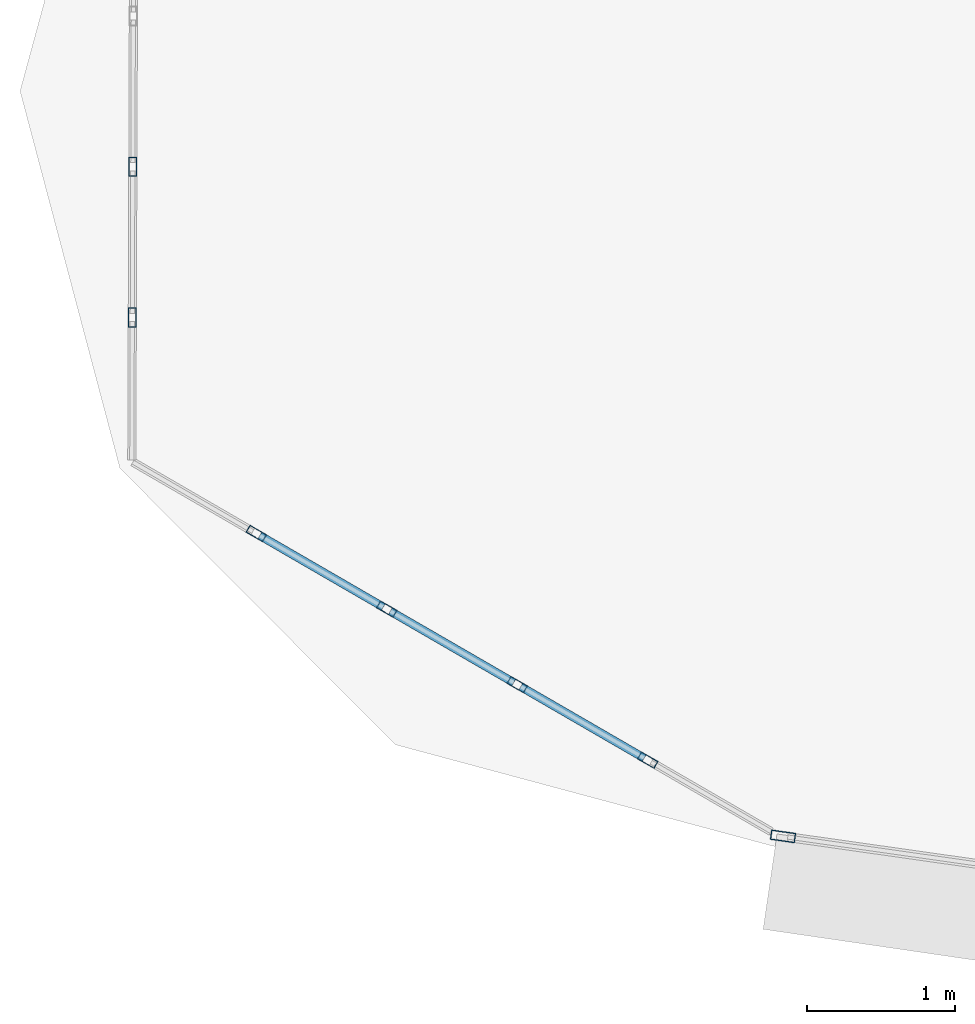
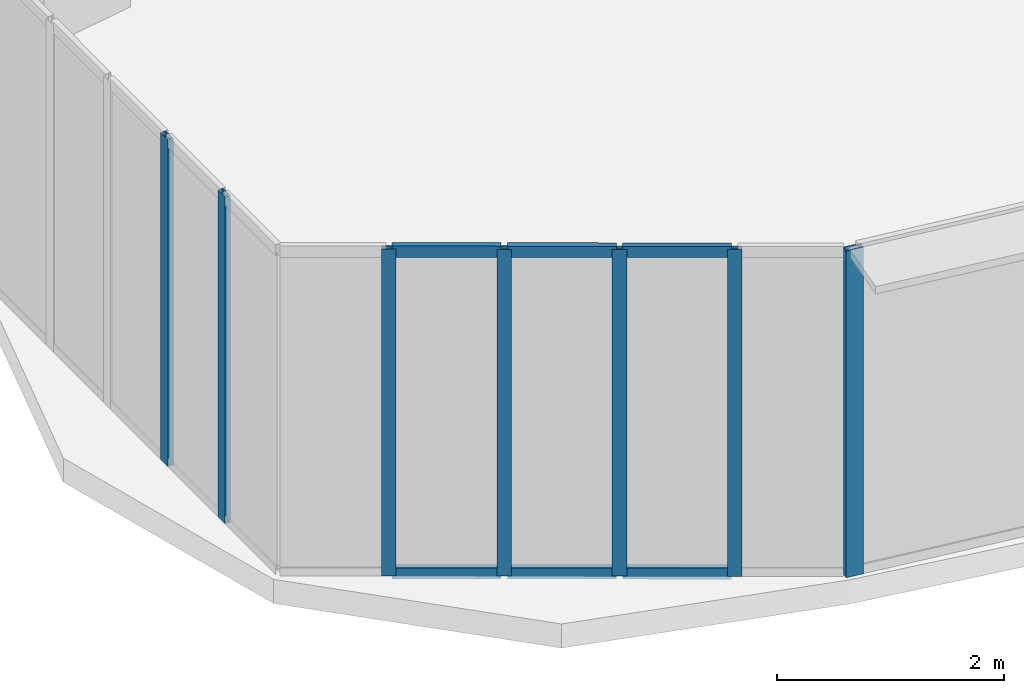
# One storey, part 2 of 41: 13 members, 3 elements without a shape of their own.
"""IFC4 building model written with IfcOpenShell, lengths in metres."""

from ifc_helpers import new_model, si_unit, direction, frame, origin, origin_2d, place, context, subcontext, project, spatial, hollow_rectangle, extrude, source, transform, mapped, material, layer, layer_set, material_profile, profile_set, type_object, element, aggregate, save


model = new_model("IFC4")

# Units and contexts
model_context = context("Model", 3, precision=1e-05, world=origin(), true_north=direction((0.0, 1.0)))
body_context = subcontext(model_context, "Body", "Model", "MODEL_VIEW")
ifc_project = project(units=[si_unit("LENGTHUNIT", "METRE"), si_unit("AREAUNIT", "SQUARE_METRE"), si_unit("VOLUMEUNIT", "CUBIC_METRE"), si_unit("PLANEANGLEUNIT", "RADIAN"), si_unit("MASSUNIT", "GRAM", prefix="KILO"), si_unit("THERMODYNAMICTEMPERATUREUNIT", "KELVIN"), si_unit("POWERUNIT", "WATT")], contexts=[model_context])

# Site, building, storey
site_placement = place(None, origin())
site = spatial("IfcSite", under=ifc_project, at=site_placement, CompositionType="ELEMENT")
building_placement = place(site_placement, origin())
building = spatial("IfcBuilding", under=site, at=building_placement, Name="Yunzhuo Pagoda Commons", CompositionType="ELEMENT")
storey_placement = place(building_placement, frame((0.0, 0.0, 115.3798828125)))
storey = spatial("IfcBuildingStorey", under=building, at=storey_placement, Name="L29", CompositionType="ELEMENT", Elevation=115.3798828125)

# Curtain wall, members
ifc_material = material(Name="Anodized aluminium 6063-T6", Category="aluminium")
ifc_layer_1 = layer(ifc_material, 0.1298828125)
ifc_layer_set_1 = layer_set([ifc_layer_1], Name="Anodized aluminium 6063-T6")
curtain_wall_type_1 = type_object("IfcCurtainWallType", Name="CW-VTX Rounded Corner Curtain Wall", PredefinedType="NOTDEFINED", material=ifc_layer_set_1)
curtain_wall_1_placement = place(storey_placement, origin())
curtain_wall_1 = element("IfcCurtainWall", 1, at=curtain_wall_1_placement, inside=storey, type_object=curtain_wall_type_1, Name="L29 curtain wall CW-L29-VTX1S2", PredefinedType="NOTDEFINED")
ifc_material_profile_1 = material_profile(ifc_material, hollow_rectangle(XDim=0.054931640625, YDim=0.1201171875, WallThickness=0.00341796875, at=origin_2d()), Name="Anodized aluminium 6063-T6")
ifc_profile_set_1 = profile_set([ifc_material_profile_1], Name="Anodized aluminium 6063-T6")
member_type_1 = type_object("IfcMemberType", Name="CW-VTX-T Transom RHS 120x55x3.5", PredefinedType="USERDEFINED", material=ifc_profile_set_1)
shared_shape_1 = source(origin(), body_context, "Body", "SweptSolid", [
    extrude(hollow_rectangle(XDim=0.054931640625, YDim=0.1201171875, WallThickness=0.00341796875, at=origin_2d()), origin(), (0.0, 0.0, 1.0), 0.962158203125),
])
member_1_placement = place(storey_placement, frame((7.85791015625, 17.81884765625, 0.027587890625), z_axis=(0.865339402636, -0.501186310911, 0.0), x_axis=(0.501186310911, 0.865339402636, 0.0)))
member_1 = element("IfcMember", 2, at=member_1_placement, type_object=member_type_1, Name="CW transom 2.1", ObjectType="TRANSOM", PredefinedType="USERDEFINED", context=body_context, shape_type="MappedRepresentation", body=[
    mapped(shared_shape_1, transform((0.0, 0.0, 0.0), scale=1.0)),
])
member_2_placement = place(storey_placement, frame((7.85791015625, 17.81884765625, 3.49267578125), z_axis=(0.865339402636, -0.501186310911, 0.0), x_axis=(0.501186310911, 0.865339402636, 0.0)))
member_2 = element("IfcMember", 3, at=member_2_placement, type_object=member_type_1, Name="CW transom 2.2", ObjectType="TRANSOM", PredefinedType="USERDEFINED", context=body_context, shape_type="MappedRepresentation", body=[
    mapped(shared_shape_1, transform((0.0, 0.0, 0.0), scale=1.0)),
])
member_3_placement = place(storey_placement, frame((8.73779296875, 17.30908203125, 0.027587890625), z_axis=(0.865513134281, -0.500886228986, 0.0), x_axis=(0.500886228986, 0.865513134281, 0.0)))
member_3 = element("IfcMember", 4, at=member_3_placement, type_object=member_type_1, Name="CW transom 3.1", ObjectType="TRANSOM", PredefinedType="USERDEFINED", context=body_context, shape_type="MappedRepresentation", body=[
    mapped(shared_shape_1, transform((0.0, 0.0, 0.0), scale=1.0)),
])
member_4_placement = place(storey_placement, frame((8.73779296875, 17.30908203125, 3.49267578125), z_axis=(0.865513134281, -0.500886228986, 0.0), x_axis=(0.500886228986, 0.865513134281, 0.0)))
member_4 = element("IfcMember", 5, at=member_4_placement, type_object=member_type_1, Name="CW transom 3.2", ObjectType="TRANSOM", PredefinedType="USERDEFINED", context=body_context, shape_type="MappedRepresentation", body=[
    mapped(shared_shape_1, transform((0.0, 0.0, 0.0), scale=1.0)),
])
shared_shape_2 = source(origin(), body_context, "Body", "SweptSolid", [
    extrude(hollow_rectangle(XDim=0.054931640625, YDim=0.1201171875, WallThickness=0.00341796875, at=origin_2d()), origin(), (0.0, 0.0, 1.0), 0.961669921875),
])
member_5_placement = place(storey_placement, frame((9.617919921875, 16.7998046875, 0.027587890625), z_axis=(0.865385729326, -0.501106315544, 0.0), x_axis=(0.501106315544, 0.865385729326, 0.0)))
member_5 = element("IfcMember", 6, at=member_5_placement, type_object=member_type_1, Name="CW transom 4.1", ObjectType="TRANSOM", PredefinedType="USERDEFINED", context=body_context, shape_type="MappedRepresentation", body=[
    mapped(shared_shape_2, transform((0.0, 0.0, 0.0), scale=1.0)),
])
member_6_placement = place(storey_placement, frame((9.617919921875, 16.7998046875, 3.49267578125), z_axis=(0.865385729326, -0.501106315544, 0.0), x_axis=(0.501106315544, 0.865385729326, 0.0)))
member_6 = element("IfcMember", 7, at=member_6_placement, type_object=member_type_1, Name="CW transom 4.2", ObjectType="TRANSOM", PredefinedType="USERDEFINED", context=body_context, shape_type="MappedRepresentation", body=[
    mapped(shared_shape_2, transform((0.0, 0.0, 0.0), scale=1.0)),
])

# Curtain wall, member
ifc_layer_2 = layer(ifc_material, 0.1650390625)
ifc_layer_set_2 = layer_set([ifc_layer_2], Name="Anodized aluminium 6063-T6")
curtain_wall_type_2 = type_object("IfcCurtainWallType", Name="CW-LOW Low-Zone Ribbon Curtain Wall", PredefinedType="NOTDEFINED", material=ifc_layer_set_2)
curtain_wall_2_placement = place(storey_placement, origin())
curtain_wall_2 = element("IfcCurtainWall", 8, at=curtain_wall_2_placement, inside=storey, type_object=curtain_wall_type_2, Name="L29 curtain wall CW-L29-F1B1", PredefinedType="NOTDEFINED")
ifc_material_profile_2 = material_profile(ifc_material, hollow_rectangle(XDim=0.06494140625, YDim=0.1650390625, WallThickness=0.00390625, at=origin_2d()), Name="Anodized aluminium 6063-T6")
ifc_profile_set_2 = profile_set([ifc_material_profile_2], Name="Anodized aluminium 6063-T6")
member_type_2 = type_object("IfcMemberType", Name="CW-LOW-M Mullion RHS 165x65x4", PredefinedType="MULLION", material=ifc_profile_set_2)
shared_shape_3 = source(origin(), body_context, "Body", "SweptSolid", [
    extrude(hollow_rectangle(XDim=0.06494140625, YDim=0.1650390625, WallThickness=0.00390625, at=origin_2d()), origin(), (0.0, 0.0, 1.0), 3.52001953125),
])
member_7_placement = place(storey_placement, frame((11.386474609375, 15.7900390625, 0.0), z_axis=(0.0, 0.0, 1.0), x_axis=(0.140408035721, 0.990093724606, 0.0)))
member_7 = element("IfcMember", 9, at=member_7_placement, type_object=member_type_2, Name="CW mullion 1", PredefinedType="MULLION", context=body_context, shape_type="MappedRepresentation", body=[
    mapped(shared_shape_3, transform((0.0, 0.0, 0.0), scale=1.0)),
])
aggregate(curtain_wall_2, [member_7])

# Curtain wall, members
curtain_wall_3_placement = place(storey_placement, origin())
curtain_wall_3 = element("IfcCurtainWall", 10, at=curtain_wall_3_placement, inside=storey, type_object=curtain_wall_type_1, Name="L29 curtain wall CW-L29-VTX1S1", PredefinedType="NOTDEFINED")
ifc_material_profile_3 = material_profile(ifc_material, hollow_rectangle(XDim=0.054931640625, YDim=0.1298828125, WallThickness=0.00341796875, at=origin_2d()), Name="Anodized aluminium 6063-T6")
ifc_profile_set_3 = profile_set([ifc_material_profile_3], Name="Anodized aluminium 6063-T6")
member_type_3 = type_object("IfcMemberType", Name="CW-VTX-M Mullion RHS 130x55x3.5", PredefinedType="MULLION", material=ifc_profile_set_3)
shared_shape_4 = source(origin(), body_context, "Body", "SweptSolid", [
    extrude(hollow_rectangle(XDim=0.054931640625, YDim=0.1298828125, WallThickness=0.00341796875, at=origin_2d()), origin(), (0.0, 0.0, 1.0), 3.52001953125),
])
member_8_placement = place(storey_placement, frame((7.001220703125, 20.30615234375, 0.0), z_axis=(0.0, 0.0, 1.0), x_axis=(0.999993522017, -0.003599433805, 0.0)))
member_8 = element("IfcMember", 11, at=member_8_placement, type_object=member_type_3, Name="CW mullion 4", PredefinedType="MULLION", context=body_context, shape_type="MappedRepresentation", body=[
    mapped(shared_shape_4, transform((0.0, 0.0, 0.0), scale=1.0)),
])
member_9_placement = place(storey_placement, frame((6.99755859375, 19.289306640625, 0.0), z_axis=(0.0, 0.0, 1.0), x_axis=(0.999993522017, -0.003599433805, 0.0)))
member_9 = element("IfcMember", 12, at=member_9_placement, type_object=member_type_3, Name="CW mullion 5", PredefinedType="MULLION", context=body_context, shape_type="MappedRepresentation", body=[
    mapped(shared_shape_4, transform((0.0, 0.0, 0.0), scale=1.0)),
])
aggregate(curtain_wall_3, [member_8, member_9])

# Member
member_10_placement = place(storey_placement, frame((7.833984375, 17.832763671875, 0.0), z_axis=(0.0, 0.0, 1.0), x_axis=(0.501032393989, 0.865428529789, 0.0)))
member_10 = element("IfcMember", 13, at=member_10_placement, type_object=member_type_3, Name="CW mullion 2", PredefinedType="MULLION", context=body_context, shape_type="MappedRepresentation", body=[
    mapped(shared_shape_4, transform((0.0, 0.0, 0.0), scale=1.0)),
])

member_11_placement = place(storey_placement, frame((8.714111328125, 17.322998046875, 0.0), z_axis=(0.0, 0.0, 1.0), x_axis=(0.501032393989, 0.865428529789, 0.0)))
member_11 = element("IfcMember", 14, at=member_11_placement, type_object=member_type_3, Name="CW mullion 3", PredefinedType="MULLION", context=body_context, shape_type="MappedRepresentation", body=[
    mapped(shared_shape_4, transform((0.0, 0.0, 0.0), scale=1.0)),
])

member_12_placement = place(storey_placement, frame((9.593994140625, 16.8134765625, 0.0), z_axis=(0.0, 0.0, 1.0), x_axis=(0.501032393989, 0.865428529789, 0.0)))
member_12 = element("IfcMember", 15, at=member_12_placement, type_object=member_type_3, Name="CW mullion 4", PredefinedType="MULLION", context=body_context, shape_type="MappedRepresentation", body=[
    mapped(shared_shape_4, transform((0.0, 0.0, 0.0), scale=1.0)),
])

member_13_placement = place(storey_placement, frame((10.47412109375, 16.303955078125, 0.0), z_axis=(0.0, 0.0, 1.0), x_axis=(0.501032393989, 0.865428529789, 0.0)))
member_13 = element("IfcMember", 16, at=member_13_placement, type_object=member_type_3, Name="CW mullion 5", PredefinedType="MULLION", context=body_context, shape_type="MappedRepresentation", body=[
    mapped(shared_shape_4, transform((0.0, 0.0, 0.0), scale=1.0)),
])

aggregate(curtain_wall_1, [member_10, member_11, member_12, member_13, member_1, member_2, member_3, member_4, member_5, member_6])

save(model, "model.ifc")
